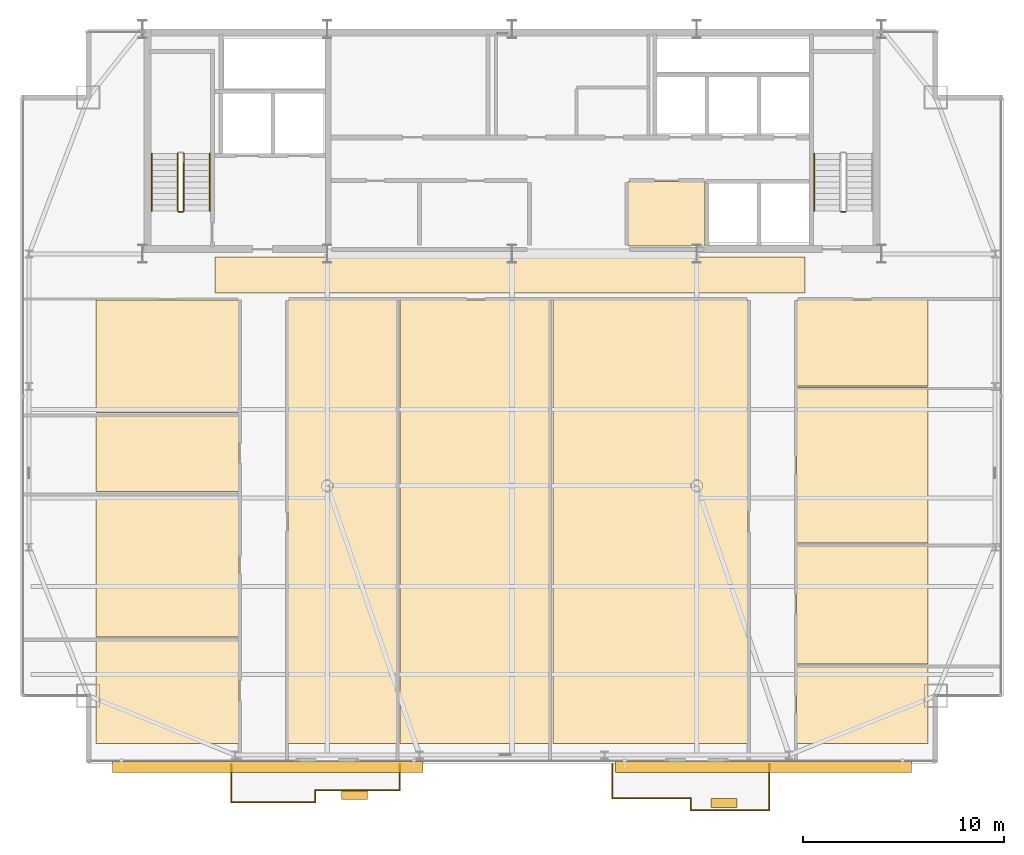
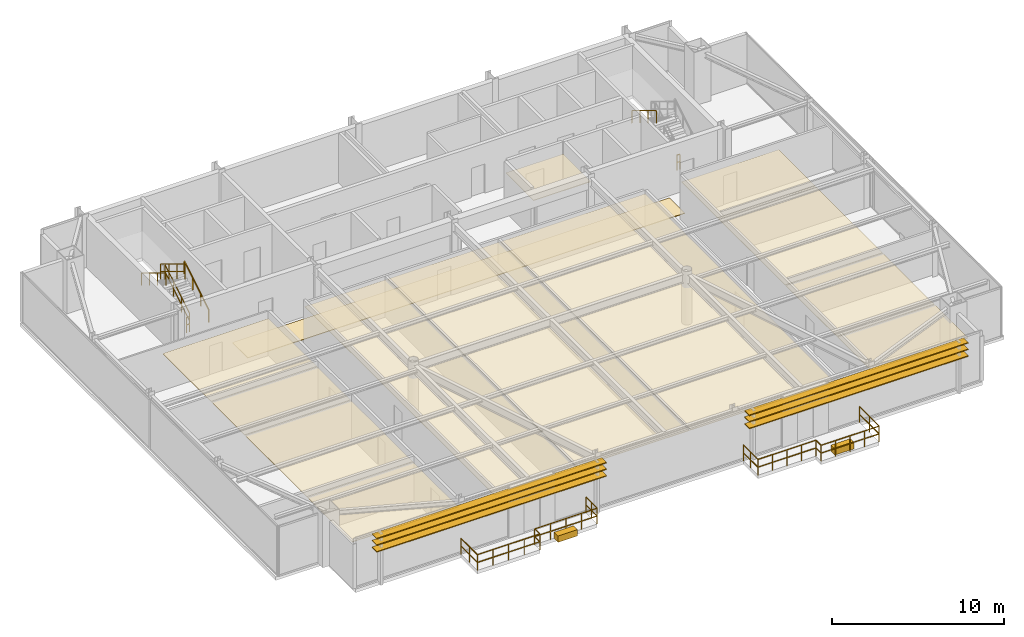
# One storey, part 29 of 30: 17 railings, 15 coverings, 6 shading devices.
"""IFC4 building model written with IfcOpenShell, lengths in metres."""

from ifc_helpers import new_model, si_unit, direction, frame, origin, origin_2d, place, context, subcontext, project, spatial, polyline, rectangle, outline, extrude, source, transform, mapped, material, layer, layer_set, type_object, type_shapes, element, save


model = new_model("IFC4")

# Units and contexts
model_context = context("Model", 3, precision=1e-05, world=origin(), true_north=direction((0.0, 1.0)))
body_context = subcontext(model_context, "Body", "Model", "MODEL_VIEW")
ifc_project = project(units=[si_unit("LENGTHUNIT", "METRE"), si_unit("AREAUNIT", "SQUARE_METRE"), si_unit("VOLUMEUNIT", "CUBIC_METRE"), si_unit("PLANEANGLEUNIT", "RADIAN"), si_unit("MASSUNIT", "GRAM", prefix="KILO")], contexts=[model_context])

# Site, building, storey
site_placement = place(None, origin())
site = spatial("IfcSite", under=ifc_project, at=site_placement, CompositionType="ELEMENT")
building_placement = place(site_placement, origin())
building = spatial("IfcBuilding", under=site, at=building_placement, Name="Varnel Quay Broadcast Tower", CompositionType="ELEMENT")
storey_placement = place(building_placement, frame((0.0, 0.0, 207.39990234375)))
storey = spatial("IfcBuildingStorey", under=building, at=storey_placement, Name="L51", CompositionType="ELEMENT", Elevation=207.39990234375)

# Coverings
ifc_material_1 = material(Name="Micro-Perforated Acoustic Ceiling Tile")
ifc_layer_1 = layer(ifc_material_1, 0.0400390625, Name="Micro-Perforated Acoustic Ceiling Tile")
ifc_layer_set_1 = layer_set([ifc_layer_1], Name="Micro-Perforated Acoustic Ceiling Tile")
covering_type_1 = type_object("IfcCoveringType", Name="Cov_AcousticCeiling", PredefinedType="CEILING", material=ifc_layer_set_1)
covering_1_placement = place(storey_placement, frame((0.0, 0.0, 2.580078125)))
element("IfcCovering", 1, at=covering_1_placement, inside=storey, type_object=covering_type_1, Name="L51 Electrical Sub-Distribution Closet Acoustic Ceiling", PredefinedType="CEILING", context=body_context, shape_type="SweptSolid", body=[
    extrude(outline(polyline([(39.784912109375, 35.985107421875), (43.614990234375, 35.985107421875), (43.614990234375, 39.215087890625), (39.784912109375, 39.215087890625), (39.784912109375, 35.985107421875)])), origin(), (0.0, 0.0, 1.0), 0.0400390625),
])
covering_2_placement = place(storey_placement, frame((0.0, 0.0, 2.580078125)))
element("IfcCovering", 2, at=covering_2_placement, inside=storey, type_object=covering_type_1, Name="L51 Editorial Boardroom 1 Acoustic Ceiling", PredefinedType="CEILING", context=body_context, shape_type="SweptSolid", body=[
    extrude(outline(polyline([(13.284912109375, 11.22509765625), (20.4150390625, 11.22509765625), (20.4150390625, 16.455078125), (13.284912109375, 16.455078125), (13.284912109375, 11.22509765625)])), origin(), (0.0, 0.0, 1.0), 0.0400390625),
])
covering_3_placement = place(storey_placement, frame((0.0, 0.0, 2.580078125)))
element("IfcCovering", 3, at=covering_3_placement, inside=storey, type_object=covering_type_1, Name="L51 Break Kitchen 2 Acoustic Ceiling", PredefinedType="CEILING", context=body_context, shape_type="SweptSolid", body=[
    extrude(outline(polyline([(13.284912109375, 16.52490234375), (20.4150390625, 16.52490234375), (20.4150390625, 23.695068359375), (13.284912109375, 23.695068359375), (13.284912109375, 16.52490234375)])), origin(), (0.0, 0.0, 1.0), 0.0400390625),
])
covering_4_placement = place(storey_placement, frame((0.0, 0.0, 2.580078125)))
element("IfcCovering", 4, at=covering_4_placement, inside=storey, type_object=covering_type_1, Name="L51 Press Green Lounge 3 Acoustic Ceiling", PredefinedType="CEILING", context=body_context, shape_type="SweptSolid", body=[
    extrude(outline(polyline([(13.284912109375, 23.764892578125), (20.4150390625, 23.764892578125), (20.4150390625, 27.625), (13.284912109375, 27.625), (13.284912109375, 23.764892578125)])), origin(), (0.0, 0.0, 1.0), 0.0400390625),
])
covering_5_placement = place(storey_placement, frame((0.0, 0.0, 2.580078125)))
element("IfcCovering", 5, at=covering_5_placement, inside=storey, type_object=covering_type_1, Name="L51 Camera Locker Store 4 Acoustic Ceiling", PredefinedType="CEILING", context=body_context, shape_type="SweptSolid", body=[
    extrude(outline(polyline([(13.284912109375, 27.695068359375), (20.4150390625, 27.695068359375), (20.4150390625, 33.31494140625), (13.284912109375, 33.31494140625), (13.284912109375, 27.695068359375)])), origin(), (0.0, 0.0, 1.0), 0.0400390625),
])
covering_6_placement = place(storey_placement, frame((0.0, 0.0, 2.580078125)))
element("IfcCovering", 6, at=covering_6_placement, inside=storey, type_object=covering_type_1, Name="L51 Broadcast Newsroom 5 Acoustic Ceiling", PredefinedType="CEILING", context=body_context, shape_type="SweptSolid", body=[
    extrude(outline(polyline([(22.8349609375, 11.22509765625), (28.364990234375, 11.22509765625), (28.364990234375, 33.31494140625), (22.8349609375, 33.31494140625), (22.8349609375, 11.22509765625)])), origin(), (0.0, 0.0, 1.0), 0.0400390625),
])
covering_7_placement = place(storey_placement, frame((0.0, 0.0, 2.580078125)))
element("IfcCovering", 7, at=covering_7_placement, inside=storey, type_object=covering_type_1, Name="L51 Assignment Desk 6 Acoustic Ceiling", PredefinedType="CEILING", context=body_context, shape_type="SweptSolid", body=[
    extrude(outline(polyline([(28.43505859375, 11.22509765625), (35.965087890625, 11.22509765625), (35.965087890625, 33.31494140625), (28.43505859375, 33.31494140625), (28.43505859375, 11.22509765625)])), origin(), (0.0, 0.0, 1.0), 0.0400390625),
])
covering_8_placement = place(storey_placement, frame((0.0, 0.0, 2.580078125)))
element("IfcCovering", 8, at=covering_8_placement, inside=storey, type_object=covering_type_1, Name="L51 Editorial Boardroom 7 Acoustic Ceiling", PredefinedType="CEILING", context=body_context, shape_type="SweptSolid", body=[
    extrude(outline(polyline([(36.034912109375, 11.22509765625), (45.7548828125, 11.22509765625), (45.7548828125, 33.31494140625), (36.034912109375, 33.31494140625), (36.034912109375, 11.22509765625)])), origin(), (0.0, 0.0, 1.0), 0.0400390625),
])
covering_9_placement = place(storey_placement, frame((0.0, 0.0, 2.580078125)))
element("IfcCovering", 9, at=covering_9_placement, inside=storey, type_object=covering_type_1, Name="L51 Break Kitchen 8 Acoustic Ceiling", PredefinedType="CEILING", context=body_context, shape_type="SweptSolid", body=[
    extrude(outline(polyline([(48.175048828125, 11.22509765625), (54.715087890625, 11.22509765625), (54.715087890625, 15.114990234375), (48.175048828125, 15.114990234375), (48.175048828125, 11.22509765625)])), origin(), (0.0, 0.0, 1.0), 0.0400390625),
])
covering_10_placement = place(storey_placement, frame((0.0, 0.0, 2.580078125)))
element("IfcCovering", 10, at=covering_10_placement, inside=storey, type_object=covering_type_1, Name="L51 Press Green Lounge 9 Acoustic Ceiling", PredefinedType="CEILING", context=body_context, shape_type="SweptSolid", body=[
    extrude(outline(polyline([(48.175048828125, 15.18505859375), (54.715087890625, 15.18505859375), (54.715087890625, 21.14501953125), (48.175048828125, 21.14501953125), (48.175048828125, 15.18505859375)])), origin(), (0.0, 0.0, 1.0), 0.0400390625),
])
covering_11_placement = place(storey_placement, frame((0.0, 0.0, 2.580078125)))
element("IfcCovering", 11, at=covering_11_placement, inside=storey, type_object=covering_type_1, Name="L51 Camera Locker Store 10 Acoustic Ceiling", PredefinedType="CEILING", context=body_context, shape_type="SweptSolid", body=[
    extrude(outline(polyline([(48.175048828125, 21.215087890625), (54.715087890625, 21.215087890625), (54.715087890625, 28.965087890625), (48.175048828125, 28.965087890625), (48.175048828125, 21.215087890625)])), origin(), (0.0, 0.0, 1.0), 0.0400390625),
])
covering_12_placement = place(storey_placement, frame((0.0, 0.0, 2.580078125)))
element("IfcCovering", 12, at=covering_12_placement, inside=storey, type_object=covering_type_1, Name="L51 Broadcast Newsroom 11 Acoustic Ceiling", PredefinedType="CEILING", context=body_context, shape_type="SweptSolid", body=[
    extrude(outline(polyline([(48.175048828125, 29.034912109375), (54.715087890625, 29.034912109375), (54.715087890625, 33.31494140625), (48.175048828125, 33.31494140625), (48.175048828125, 29.034912109375)])), origin(), (0.0, 0.0, 1.0), 0.0400390625),
])
ifc_material_2 = material(Name="Polished Terrazzo & Broadcast Raised Flooring")
ifc_layer_2 = layer(ifc_material_2, 0.0400390625, Name="Polished Terrazzo & Broadcast Raised Flooring")
ifc_layer_set_2 = layer_set([ifc_layer_2], Name="Polished Terrazzo & Broadcast Raised Flooring")
covering_type_2 = type_object("IfcCoveringType", Name="Cov_TerrazzoFloor", PredefinedType="FLOORING", material=ifc_layer_set_2)
covering_13_placement = place(storey_placement, origin())
element("IfcCovering", 13, at=covering_13_placement, inside=storey, type_object=covering_type_2, Name="L51 Corridor Terrazzo Flooring", PredefinedType="FLOORING", context=body_context, shape_type="SweptSolid", body=[
    extrude(outline(polyline([(19.199951171875, 33.64990234375), (48.60009765625, 33.64990234375), (48.60009765625, 35.449951171875), (19.199951171875, 35.449951171875), (19.199951171875, 33.64990234375)])), origin(), (0.0, 0.0, 1.0), 0.0400390625),
])

# Railings
ifc_material_3 = material(Name="Anodised Bronze Aluminium 6063-T6", Category="aluminium")
railing_type_1 = type_object("IfcRailingType", Name="Rail_Balustrade1150", PredefinedType="BALUSTRADE", material=ifc_material_3)
railing_1_placement = place(storey_placement, frame((20.010009765625, 8.297119140625, 0.0)))
element("IfcRailing", 14, at=railing_1_placement, inside=storey, type_object=railing_type_1, Name="L51 Terrace 1 Guard 1", PredefinedType="BALUSTRADE", context=body_context, shape_type="SweptSolid", body=[
    extrude(rectangle(XDim=0.048095703125, YDim=0.048095703125, at=origin_2d()), frame((0.0, 0.0, 1.1259765625), z_axis=(1.0, 0.0, 0.0), x_axis=(0.0, 1.0, 0.0)), (0.0, 0.0, 1.0), 4.199951171875),
    extrude(rectangle(XDim=0.048095703125, YDim=0.048095703125, at=origin_2d()), frame((0.0, 0.0, 0.574951171875), z_axis=(1.0, 0.0, 0.0), x_axis=(0.0, 1.0, 0.0)), (0.0, 0.0, 1.0), 4.199951171875),
    extrude(rectangle(XDim=0.0419921875, YDim=0.0419921875, at=origin_2d()), origin(), (0.0, 0.0, 1.0), 1.101806640625),
    extrude(rectangle(XDim=0.0419921875, YDim=0.0419921875, at=origin_2d()), frame((1.050048828125, 0.0, 0.0)), (0.0, 0.0, 1.0), 1.101806640625),
    extrude(rectangle(XDim=0.0419921875, YDim=0.0419921875, at=origin_2d()), frame((2.10009765625, 0.0, 0.0)), (0.0, 0.0, 1.0), 1.101806640625),
    extrude(rectangle(XDim=0.0419921875, YDim=0.0419921875, at=origin_2d()), frame((3.14990234375, 0.0, 0.0)), (0.0, 0.0, 1.0), 1.101806640625),
    extrude(rectangle(XDim=0.0419921875, YDim=0.0419921875, at=origin_2d()), frame((4.199951171875, 0.0, 0.0)), (0.0, 0.0, 1.0), 1.101806640625),
])
railing_2_placement = place(storey_placement, frame((24.2099609375, 8.297119140625, 0.0)))
element("IfcRailing", 15, at=railing_2_placement, inside=storey, type_object=railing_type_1, Name="L51 Terrace 1 Guard 2", PredefinedType="BALUSTRADE", context=body_context, shape_type="SweptSolid", body=[
    extrude(rectangle(XDim=0.048095703125, YDim=0.048095703125, at=origin_2d()), frame((0.0, 0.0, 1.1259765625), z_axis=(0.0, 1.0, 0.0), x_axis=(-1.0, 0.0, 0.0)), (0.0, 0.0, 1.0), 0.599853515625),
    extrude(rectangle(XDim=0.048095703125, YDim=0.048095703125, at=origin_2d()), frame((0.0, 0.0, 0.574951171875), z_axis=(0.0, 1.0, 0.0), x_axis=(-1.0, 0.0, 0.0)), (0.0, 0.0, 1.0), 0.599853515625),
    extrude(rectangle(XDim=0.0419921875, YDim=0.0419921875, at=origin_2d()), origin(), (0.0, 0.0, 1.0), 1.101806640625),
    extrude(rectangle(XDim=0.0419921875, YDim=0.0419921875, at=origin_2d()), frame((0.0, 0.599853515625, 0.0)), (0.0, 0.0, 1.0), 1.101806640625),
])
railing_3_placement = place(storey_placement, frame((24.2099609375, 8.89697265625, 0.0)))
element("IfcRailing", 16, at=railing_3_placement, inside=storey, type_object=railing_type_1, Name="L51 Terrace 1 Guard 3", PredefinedType="BALUSTRADE", context=body_context, shape_type="SweptSolid", body=[
    extrude(rectangle(XDim=0.048095703125, YDim=0.048095703125, at=origin_2d()), frame((0.0, 0.0, 1.1259765625), z_axis=(1.0, 0.0, 0.0), x_axis=(0.0, 1.0, 0.0)), (0.0, 0.0, 1.0), 4.199951171875),
    extrude(rectangle(XDim=0.048095703125, YDim=0.048095703125, at=origin_2d()), frame((0.0, 0.0, 0.574951171875), z_axis=(1.0, 0.0, 0.0), x_axis=(0.0, 1.0, 0.0)), (0.0, 0.0, 1.0), 4.199951171875),
    extrude(rectangle(XDim=0.0419921875, YDim=0.0419921875, at=origin_2d()), origin(), (0.0, 0.0, 1.0), 1.101806640625),
    extrude(rectangle(XDim=0.0419921875, YDim=0.0419921875, at=origin_2d()), frame((1.050048828125, 0.0, 0.0)), (0.0, 0.0, 1.0), 1.101806640625),
    extrude(rectangle(XDim=0.0419921875, YDim=0.0419921875, at=origin_2d()), frame((2.10009765625, 0.0, 0.0)), (0.0, 0.0, 1.0), 1.101806640625),
    extrude(rectangle(XDim=0.0419921875, YDim=0.0419921875, at=origin_2d()), frame((3.14990234375, 0.0, 0.0)), (0.0, 0.0, 1.0), 1.101806640625),
    extrude(rectangle(XDim=0.0419921875, YDim=0.0419921875, at=origin_2d()), frame((4.199951171875, 0.0, 0.0)), (0.0, 0.0, 1.0), 1.101806640625),
])
railing_4_placement = place(storey_placement, frame((28.409912109375, 8.89697265625, 0.0)))
element("IfcRailing", 17, at=railing_4_placement, inside=storey, type_object=railing_type_1, Name="L51 Terrace 1 Guard 4", PredefinedType="BALUSTRADE", context=body_context, shape_type="SweptSolid", body=[
    extrude(rectangle(XDim=0.048095703125, YDim=0.048095703125, at=origin_2d()), frame((0.0, 0.0, 1.1259765625), z_axis=(0.0, 1.0, 0.0), x_axis=(-1.0, 0.0, 0.0)), (0.0, 0.0, 1.0), 1.302978515625),
    extrude(rectangle(XDim=0.048095703125, YDim=0.048095703125, at=origin_2d()), frame((0.0, 0.0, 0.574951171875), z_axis=(0.0, 1.0, 0.0), x_axis=(-1.0, 0.0, 0.0)), (0.0, 0.0, 1.0), 1.302978515625),
    extrude(rectangle(XDim=0.0419921875, YDim=0.0419921875, at=origin_2d()), origin(), (0.0, 0.0, 1.0), 1.101806640625),
    extrude(rectangle(XDim=0.0419921875, YDim=0.0419921875, at=origin_2d()), frame((0.0, 0.6513671875, 0.0)), (0.0, 0.0, 1.0), 1.101806640625),
    extrude(rectangle(XDim=0.0419921875, YDim=0.0419921875, at=origin_2d()), frame((0.0, 1.302978515625, 0.0)), (0.0, 0.0, 1.0), 1.101806640625),
])
railing_5_placement = place(storey_placement, frame((20.010009765625, 10.199951171875, 0.0)))
element("IfcRailing", 18, at=railing_5_placement, inside=storey, type_object=railing_type_1, Name="L51 Terrace 1 Guard 6", PredefinedType="BALUSTRADE", context=body_context, shape_type="SweptSolid", body=[
    extrude(rectangle(XDim=0.048095703125, YDim=0.048095703125, at=origin_2d()), frame((0.0, 0.0, 1.1259765625), z_axis=(0.0, -1.0, 0.0), x_axis=(1.0, 0.0, 0.0)), (0.0, 0.0, 1.0), 1.90283203125),
    extrude(rectangle(XDim=0.048095703125, YDim=0.048095703125, at=origin_2d()), frame((0.0, 0.0, 0.574951171875), z_axis=(0.0, -1.0, 0.0), x_axis=(1.0, 0.0, 0.0)), (0.0, 0.0, 1.0), 1.90283203125),
    extrude(rectangle(XDim=0.0419921875, YDim=0.0419921875, at=origin_2d()), origin(), (0.0, 0.0, 1.0), 1.101806640625),
    extrude(rectangle(XDim=0.0419921875, YDim=0.0419921875, at=origin_2d()), frame((0.0, -0.951416015625, 0.0)), (0.0, 0.0, 1.0), 1.101806640625),
    extrude(rectangle(XDim=0.0419921875, YDim=0.0419921875, at=origin_2d()), frame((0.0, -1.90283203125, 0.0)), (0.0, 0.0, 1.0), 1.101806640625),
])
railing_6_placement = place(storey_placement, frame((39.0, 8.5029296875, 0.0)))
element("IfcRailing", 19, at=railing_6_placement, inside=storey, type_object=railing_type_1, Name="L51 Terrace 2 Guard 1", PredefinedType="BALUSTRADE", context=body_context, shape_type="SweptSolid", body=[
    extrude(rectangle(XDim=0.048095703125, YDim=0.048095703125, at=origin_2d()), frame((0.0, 0.0, 1.1259765625), z_axis=(1.0, 0.0, 0.0), x_axis=(0.0, 1.0, 0.0)), (0.0, 0.0, 1.0), 3.905029296875),
    extrude(rectangle(XDim=0.048095703125, YDim=0.048095703125, at=origin_2d()), frame((0.0, 0.0, 0.574951171875), z_axis=(1.0, 0.0, 0.0), x_axis=(0.0, 1.0, 0.0)), (0.0, 0.0, 1.0), 3.905029296875),
    extrude(rectangle(XDim=0.0419921875, YDim=0.0419921875, at=origin_2d()), origin(), (0.0, 0.0, 1.0), 1.101806640625),
    extrude(rectangle(XDim=0.0419921875, YDim=0.0419921875, at=origin_2d()), frame((0.976318359375, 0.0, 0.0)), (0.0, 0.0, 1.0), 1.101806640625),
    extrude(rectangle(XDim=0.0419921875, YDim=0.0419921875, at=origin_2d()), frame((1.95263671875, 0.0, 0.0)), (0.0, 0.0, 1.0), 1.101806640625),
    extrude(rectangle(XDim=0.0419921875, YDim=0.0419921875, at=origin_2d()), frame((2.9287109375, 0.0, 0.0)), (0.0, 0.0, 1.0), 1.101806640625),
    extrude(rectangle(XDim=0.0419921875, YDim=0.0419921875, at=origin_2d()), frame((3.905029296875, 0.0, 0.0)), (0.0, 0.0, 1.0), 1.101806640625),
])
railing_7_placement = place(storey_placement, frame((42.905029296875, 8.5029296875, 0.0)))
element("IfcRailing", 20, at=railing_7_placement, inside=storey, type_object=railing_type_1, Name="L51 Terrace 2 Guard 2", PredefinedType="BALUSTRADE", context=body_context, shape_type="SweptSolid", body=[
    extrude(rectangle(XDim=0.048095703125, YDim=0.048095703125, at=origin_2d()), frame((0.0, 0.0, 1.1259765625), z_axis=(0.0, -1.0, 0.0), x_axis=(1.0, 0.0, 0.0)), (0.0, 0.0, 1.0), 0.599853515625),
    extrude(rectangle(XDim=0.048095703125, YDim=0.048095703125, at=origin_2d()), frame((0.0, 0.0, 0.574951171875), z_axis=(0.0, -1.0, 0.0), x_axis=(1.0, 0.0, 0.0)), (0.0, 0.0, 1.0), 0.599853515625),
    extrude(rectangle(XDim=0.0419921875, YDim=0.0419921875, at=origin_2d()), origin(), (0.0, 0.0, 1.0), 1.101806640625),
    extrude(rectangle(XDim=0.0419921875, YDim=0.0419921875, at=origin_2d()), frame((0.0, -0.599853515625, 0.0)), (0.0, 0.0, 1.0), 1.101806640625),
])
railing_8_placement = place(storey_placement, frame((42.905029296875, 7.903076171875, 0.0)))
element("IfcRailing", 21, at=railing_8_placement, inside=storey, type_object=railing_type_1, Name="L51 Terrace 2 Guard 3", PredefinedType="BALUSTRADE", context=body_context, shape_type="SweptSolid", body=[
    extrude(rectangle(XDim=0.048095703125, YDim=0.048095703125, at=origin_2d()), frame((0.0, 0.0, 1.1259765625), z_axis=(1.0, 0.0, 0.0), x_axis=(0.0, 1.0, 0.0)), (0.0, 0.0, 1.0), 3.905029296875),
    extrude(rectangle(XDim=0.048095703125, YDim=0.048095703125, at=origin_2d()), frame((0.0, 0.0, 0.574951171875), z_axis=(1.0, 0.0, 0.0), x_axis=(0.0, 1.0, 0.0)), (0.0, 0.0, 1.0), 3.905029296875),
    extrude(rectangle(XDim=0.0419921875, YDim=0.0419921875, at=origin_2d()), origin(), (0.0, 0.0, 1.0), 1.101806640625),
    extrude(rectangle(XDim=0.0419921875, YDim=0.0419921875, at=origin_2d()), frame((0.976318359375, 0.0, 0.0)), (0.0, 0.0, 1.0), 1.101806640625),
    extrude(rectangle(XDim=0.0419921875, YDim=0.0419921875, at=origin_2d()), frame((1.95263671875, 0.0, 0.0)), (0.0, 0.0, 1.0), 1.101806640625),
    extrude(rectangle(XDim=0.0419921875, YDim=0.0419921875, at=origin_2d()), frame((2.9287109375, 0.0, 0.0)), (0.0, 0.0, 1.0), 1.101806640625),
    extrude(rectangle(XDim=0.0419921875, YDim=0.0419921875, at=origin_2d()), frame((3.905029296875, 0.0, 0.0)), (0.0, 0.0, 1.0), 1.101806640625),
])
railing_9_placement = place(storey_placement, frame((46.81005859375, 7.903076171875, 0.0)))
element("IfcRailing", 22, at=railing_9_placement, inside=storey, type_object=railing_type_1, Name="L51 Terrace 2 Guard 4", PredefinedType="BALUSTRADE", context=body_context, shape_type="SweptSolid", body=[
    extrude(rectangle(XDim=0.048095703125, YDim=0.048095703125, at=origin_2d()), frame((0.0, 0.0, 1.1259765625), z_axis=(0.0, 1.0, 0.0), x_axis=(-1.0, 0.0, 0.0)), (0.0, 0.0, 1.0), 2.296875),
    extrude(rectangle(XDim=0.048095703125, YDim=0.048095703125, at=origin_2d()), frame((0.0, 0.0, 0.574951171875), z_axis=(0.0, 1.0, 0.0), x_axis=(-1.0, 0.0, 0.0)), (0.0, 0.0, 1.0), 2.296875),
    extrude(rectangle(XDim=0.0419921875, YDim=0.0419921875, at=origin_2d()), origin(), (0.0, 0.0, 1.0), 1.101806640625),
    extrude(rectangle(XDim=0.0419921875, YDim=0.0419921875, at=origin_2d()), frame((0.0, 1.1484375, 0.0)), (0.0, 0.0, 1.0), 1.101806640625),
    extrude(rectangle(XDim=0.0419921875, YDim=0.0419921875, at=origin_2d()), frame((0.0, 2.296875, 0.0)), (0.0, 0.0, 1.0), 1.101806640625),
])
railing_10_placement = place(storey_placement, frame((39.0, 10.199951171875, 0.0)))
element("IfcRailing", 23, at=railing_10_placement, inside=storey, type_object=railing_type_1, Name="L51 Terrace 2 Guard 6", PredefinedType="BALUSTRADE", context=body_context, shape_type="SweptSolid", body=[
    extrude(rectangle(XDim=0.048095703125, YDim=0.048095703125, at=origin_2d()), frame((0.0, 0.0, 1.1259765625), z_axis=(0.0, -1.0, 0.0), x_axis=(1.0, 0.0, 0.0)), (0.0, 0.0, 1.0), 1.697021484375),
    extrude(rectangle(XDim=0.048095703125, YDim=0.048095703125, at=origin_2d()), frame((0.0, 0.0, 0.574951171875), z_axis=(0.0, -1.0, 0.0), x_axis=(1.0, 0.0, 0.0)), (0.0, 0.0, 1.0), 1.697021484375),
    extrude(rectangle(XDim=0.0419921875, YDim=0.0419921875, at=origin_2d()), origin(), (0.0, 0.0, 1.0), 1.101806640625),
    extrude(rectangle(XDim=0.0419921875, YDim=0.0419921875, at=origin_2d()), frame((0.0, -0.8486328125, 0.0)), (0.0, 0.0, 1.0), 1.101806640625),
    extrude(rectangle(XDim=0.0419921875, YDim=0.0419921875, at=origin_2d()), frame((0.0, -1.697021484375, 0.0)), (0.0, 0.0, 1.0), 1.101806640625),
])
ifc_material_4 = material(Name="Painted Steel Guard and Handrail CSA G40.21 350W", Category="steel")
railing_type_2 = type_object("IfcRailingType", Name="Rail_StairGuard1100", PredefinedType="GUARDRAIL", material=ifc_material_4)
railing_11_placement = place(storey_placement, frame((17.64990234375, 37.75, 0.1728515625)))
element("IfcRailing", 24, at=railing_11_placement, inside=storey, type_object=railing_type_2, Name="L51 ST-01 stair guard 1", PredefinedType="GUARDRAIL", context=body_context, shape_type="SweptSolid", body=[
    extrude(rectangle(XDim=0.048095703125, YDim=0.048095703125, at=origin_2d()), frame((0.0, 0.0, 1.076171875), z_axis=(0.0, 0.855202751398, 0.518293598264), x_axis=(-1.0, 0.0, 0.0)), (0.0, 0.0, 1.0), 3.332763671875),
    extrude(rectangle(XDim=0.048095703125, YDim=0.048095703125, at=origin_2d()), frame((0.0, 0.0, 0.550048828125), z_axis=(0.0, 0.855202751398, 0.518293598264), x_axis=(-1.0, 0.0, 0.0)), (0.0, 0.0, 1.0), 3.332763671875),
    extrude(rectangle(XDim=0.0419921875, YDim=0.0419921875, at=origin_2d()), origin(), (0.0, 0.0, 1.0), 1.052001953125),
    extrude(rectangle(XDim=0.0419921875, YDim=0.0419921875, at=origin_2d()), frame((0.0, 0.949951171875, 0.57568359375)), (0.0, 0.0, 1.0), 1.052001953125),
    extrude(rectangle(XDim=0.0419921875, YDim=0.0419921875, at=origin_2d()), frame((0.0, 1.900146484375, 1.151611328125)), (0.0, 0.0, 1.0), 1.052001953125),
    extrude(rectangle(XDim=0.0419921875, YDim=0.0419921875, at=origin_2d()), frame((0.0, 2.85009765625, 1.727294921875)), (0.0, 0.0, 1.0), 1.052001953125),
])
railing_12_placement = place(storey_placement, frame((17.35009765625, 40.60009765625, 2.07275390625)))
element("IfcRailing", 25, at=railing_12_placement, inside=storey, type_object=railing_type_2, Name="L51 ST-01 stair guard 3", PredefinedType="GUARDRAIL", context=body_context, shape_type="SweptSolid", body=[
    extrude(rectangle(XDim=0.048095703125, YDim=0.048095703125, at=origin_2d()), frame((0.0, 0.0, 1.076171875), z_axis=(0.0, -0.855202751398, 0.518293598264), x_axis=(1.0, 0.0, 0.0)), (0.0, 0.0, 1.0), 3.332763671875),
    extrude(rectangle(XDim=0.048095703125, YDim=0.048095703125, at=origin_2d()), frame((0.0, 0.0, 0.550048828125), z_axis=(0.0, -0.855202751398, 0.518293598264), x_axis=(1.0, 0.0, 0.0)), (0.0, 0.0, 1.0), 3.332763671875),
    extrude(rectangle(XDim=0.0419921875, YDim=0.0419921875, at=origin_2d()), origin(), (0.0, 0.0, 1.0), 1.052001953125),
    extrude(rectangle(XDim=0.0419921875, YDim=0.0419921875, at=origin_2d()), frame((0.0, -0.949951171875, 0.57568359375)), (0.0, 0.0, 1.0), 1.052001953125),
    extrude(rectangle(XDim=0.0419921875, YDim=0.0419921875, at=origin_2d()), frame((0.0, -1.900146484375, 1.151611328125)), (0.0, 0.0, 1.0), 1.052001953125),
    extrude(rectangle(XDim=0.0419921875, YDim=0.0419921875, at=origin_2d()), frame((0.0, -2.85009765625, 1.727294921875)), (0.0, 0.0, 1.0), 1.052001953125),
])
for number, where, name in (
    (26, (17.60009765625, 37.699951171875, 0.0), "L51 ST-01 stair guard 4"),
    (27, (50.60009765625, 37.699951171875, 0.0), "L51 ST-02 stair guard 4"),
):
    element("IfcRailing", number, at=place(storey_placement, frame(where)), inside=storey, type_object=railing_type_2, Name=name, PredefinedType="GUARDRAIL", context=body_context, shape_type="SweptSolid", body=[
        extrude(rectangle(XDim=0.048095703125, YDim=0.048095703125, at=origin_2d()), frame((0.0, 0.0, 1.076171875), z_axis=(-1.0, 0.0, 0.0), x_axis=(0.0, -1.0, 0.0)), (0.0, 0.0, 1.0), 0.2001953125),
        extrude(rectangle(XDim=0.048095703125, YDim=0.048095703125, at=origin_2d()), frame((0.0, 0.0, 0.550048828125), z_axis=(-1.0, 0.0, 0.0), x_axis=(0.0, -1.0, 0.0)), (0.0, 0.0, 1.0), 0.2001953125),
        extrude(rectangle(XDim=0.0419921875, YDim=0.0419921875, at=origin_2d()), origin(), (0.0, 0.0, 1.0), 1.052001953125),
        extrude(rectangle(XDim=0.0419921875, YDim=0.0419921875, at=origin_2d()), frame((-0.2001953125, 0.0, 0.0)), (0.0, 0.0, 1.0), 1.052001953125),
    ])
railing_type_3 = type_object("IfcRailingType", Name="Rail_StairHandrail900", PredefinedType="HANDRAIL", material=ifc_material_4)
railing_13_placement = place(storey_placement, frame((18.949951171875, 37.75, 0.1728515625)))
element("IfcRailing", 28, at=railing_13_placement, inside=storey, type_object=railing_type_3, Name="L51 ST-01 stair handrail 1", PredefinedType="HANDRAIL", context=body_context, shape_type="SweptSolid", body=[
    extrude(rectangle(XDim=0.048095703125, YDim=0.048095703125, at=origin_2d()), frame((0.0, 0.0, 0.8759765625), z_axis=(0.0, 0.855202751398, 0.518293598264), x_axis=(-1.0, 0.0, 0.0)), (0.0, 0.0, 1.0), 3.332763671875),
    extrude(rectangle(XDim=0.0419921875, YDim=0.0419921875, at=origin_2d()), origin(), (0.0, 0.0, 1.0), 0.851806640625),
    extrude(rectangle(XDim=0.0419921875, YDim=0.0419921875, at=origin_2d()), frame((0.0, 0.949951171875, 0.57568359375)), (0.0, 0.0, 1.0), 0.851806640625),
    extrude(rectangle(XDim=0.0419921875, YDim=0.0419921875, at=origin_2d()), frame((0.0, 1.900146484375, 1.151611328125)), (0.0, 0.0, 1.0), 0.851806640625),
    extrude(rectangle(XDim=0.0419921875, YDim=0.0419921875, at=origin_2d()), frame((0.0, 2.85009765625, 1.727294921875)), (0.0, 0.0, 1.0), 0.851806640625),
])
for number, where, name in (
    (29, (16.050048828125, 40.60009765625, 2.07275390625), "L51 ST-01 stair handrail 2"),
    (30, (49.050048828125, 40.60009765625, 2.07275390625), "L51 ST-02 stair handrail 2"),
):
    element("IfcRailing", number, at=place(storey_placement, frame(where)), inside=storey, type_object=railing_type_3, Name=name, PredefinedType="HANDRAIL", context=body_context, shape_type="SweptSolid", body=[
        extrude(rectangle(XDim=0.048095703125, YDim=0.048095703125, at=origin_2d()), frame((0.0, 0.0, 0.8759765625), z_axis=(0.0, -0.855202751398, 0.518293598264), x_axis=(1.0, 0.0, 0.0)), (0.0, 0.0, 1.0), 3.332763671875),
        extrude(rectangle(XDim=0.0419921875, YDim=0.0419921875, at=origin_2d()), origin(), (0.0, 0.0, 1.0), 0.851806640625),
        extrude(rectangle(XDim=0.0419921875, YDim=0.0419921875, at=origin_2d()), frame((0.0, -0.949951171875, 0.57568359375)), (0.0, 0.0, 1.0), 0.851806640625),
        extrude(rectangle(XDim=0.0419921875, YDim=0.0419921875, at=origin_2d()), frame((0.0, -1.900146484375, 1.151611328125)), (0.0, 0.0, 1.0), 0.851806640625),
        extrude(rectangle(XDim=0.0419921875, YDim=0.0419921875, at=origin_2d()), frame((0.0, -2.85009765625, 1.727294921875)), (0.0, 0.0, 1.0), 0.851806640625),
    ])

# Coverings
ifc_material_5 = material(Name="Bronze-Terracotta Extruded Ceramic Blade", Category="masonry")
ifc_layer_3 = layer(ifc_material_5, 0.449951171875, Name="Bronze-Terracotta Extruded Ceramic Blade")
ifc_layer_set_3 = layer_set([ifc_layer_3], Name="Bronze-Terracotta Extruded Ceramic Blade")
covering_type_3 = type_object("IfcCoveringType", Name="Cov_BronzePlanter", PredefinedType="CLADDING", material=ifc_layer_set_3)
shared_shape_1 = source(origin(), body_context, "Body", "SweptSolid", [
    extrude(rectangle(XDim=1.300048828125, YDim=0.449951171875, at=origin_2d()), origin(), (0.0, 0.0, 1.0), 0.449951171875),
])
type_shapes(covering_type_3, [shared_shape_1])
for number, where, z_axis, x_axis, name in (
    (31, (26.14990234375, 8.64697265625, 0.0), (0.0, 0.0, 1.0), (1.0, 0.0, 0.0), "L51 Terrace 1 Bronze Planter"),
    (32, (44.550048828125, 8.2529296875, 0.0), (0.0, 0.0, 1.0), (1.0, 0.0, 0.0), "L51 Terrace 2 Bronze Planter"),
):
    element("IfcCovering", number, at=place(storey_placement, frame(where, z_axis=z_axis, x_axis=x_axis)), inside=storey, type_object=covering_type_3, Name=name, PredefinedType="CLADDING", context=body_context, shape_type="MappedRepresentation", body=[
        mapped(shared_shape_1, transform((0.0, 0.0, 0.0), x_axis=(1.0, 0.0, 0.0), y_axis=(0.0, 1.0, 0.0), z_axis=(0.0, 0.0, 1.0), scale=1.0)),
    ])

# Shading devices
ifc_layer_4 = layer(ifc_material_5, 0.06494140625, Name="Bronze-Terracotta Extruded Ceramic Blade")
ifc_layer_set_4 = layer_set([ifc_layer_4], Name="Bronze-Terracotta Extruded Ceramic Blade")
shading_device_type = type_object("IfcShadingDeviceType", Name="Shade_LouvreBlade550", PredefinedType="JALOUSIE", material=ifc_layer_set_4)
shared_shape_2 = source(origin(), body_context, "Body", "SweptSolid", [
    extrude(rectangle(XDim=14.73388671875, YDim=0.550048828125, at=origin_2d()), origin(), (0.0, 0.0, 1.0), 0.06494140625),
])
for number, where, z_axis, x_axis, name in (
    (33, (46.532958984375, 10.06005859375, 2.447509765625), (0.0, 0.0, 1.0), (1.0, 0.0, 0.0), "L51 Lobe 2 Horizontal Louvre Blade 1"),
    (34, (46.532958984375, 10.06005859375, 2.927734375), (0.0, 0.0, 1.0), (1.0, 0.0, 0.0), "L51 Lobe 2 Horizontal Louvre Blade 2"),
    (35, (46.532958984375, 10.06005859375, 3.3876953125), (0.0, 0.0, 1.0), (1.0, 0.0, 0.0), "L51 Lobe 2 Horizontal Louvre Blade 3"),
):
    element("IfcShadingDevice", number, at=place(storey_placement, frame(where, z_axis=z_axis, x_axis=x_axis)), inside=storey, type_object=shading_device_type, Name=name, PredefinedType="JALOUSIE", context=body_context, shape_type="MappedRepresentation", body=[
        mapped(shared_shape_2, transform((0.0, 0.0, 0.0), x_axis=(1.0, 0.0, 0.0), y_axis=(0.0, 1.0, 0.0), z_axis=(0.0, 0.0, 1.0), scale=1.0)),
    ])
shared_shape_3 = source(origin(), body_context, "Body", "SweptSolid", [
    extrude(rectangle(XDim=15.466064453125, YDim=0.550048828125, at=origin_2d()), origin(), (0.0, 0.0, 1.0), 0.06494140625),
])
type_shapes(shading_device_type, [shared_shape_2, shared_shape_3])
for number, where, z_axis, x_axis, name in (
    (36, (21.8330078125, 10.06005859375, 2.447509765625), (0.0, 0.0, 1.0), (1.0, 0.0, 0.0), "L51 Lobe 1 Horizontal Louvre Blade 1"),
    (37, (21.8330078125, 10.06005859375, 2.927734375), (0.0, 0.0, 1.0), (1.0, 0.0, 0.0), "L51 Lobe 1 Horizontal Louvre Blade 2"),
    (38, (21.8330078125, 10.06005859375, 3.3876953125), (0.0, 0.0, 1.0), (1.0, 0.0, 0.0), "L51 Lobe 1 Horizontal Louvre Blade 3"),
):
    element("IfcShadingDevice", number, at=place(storey_placement, frame(where, z_axis=z_axis, x_axis=x_axis)), inside=storey, type_object=shading_device_type, Name=name, PredefinedType="JALOUSIE", context=body_context, shape_type="MappedRepresentation", body=[
        mapped(shared_shape_3, transform((0.0, 0.0, 0.0), x_axis=(1.0, 0.0, 0.0), y_axis=(0.0, 1.0, 0.0), z_axis=(0.0, 0.0, 1.0), scale=1.0)),
    ])

save(model, "model.ifc")
